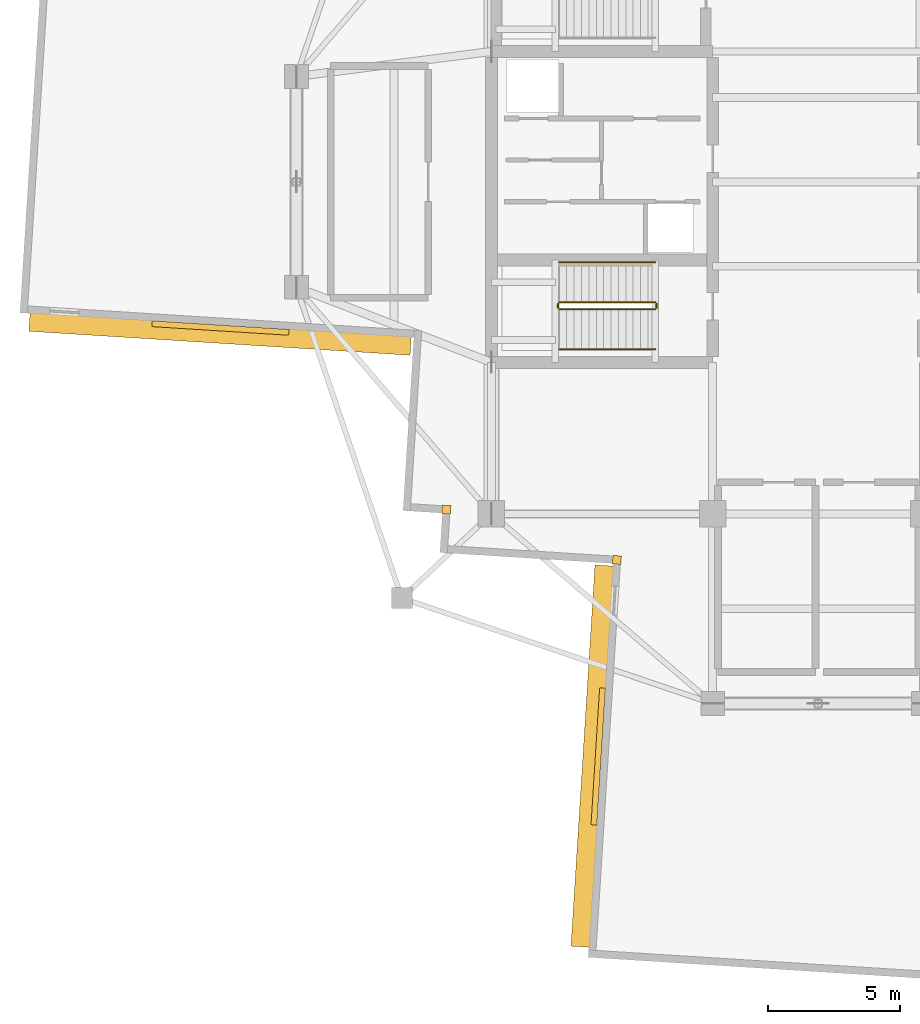
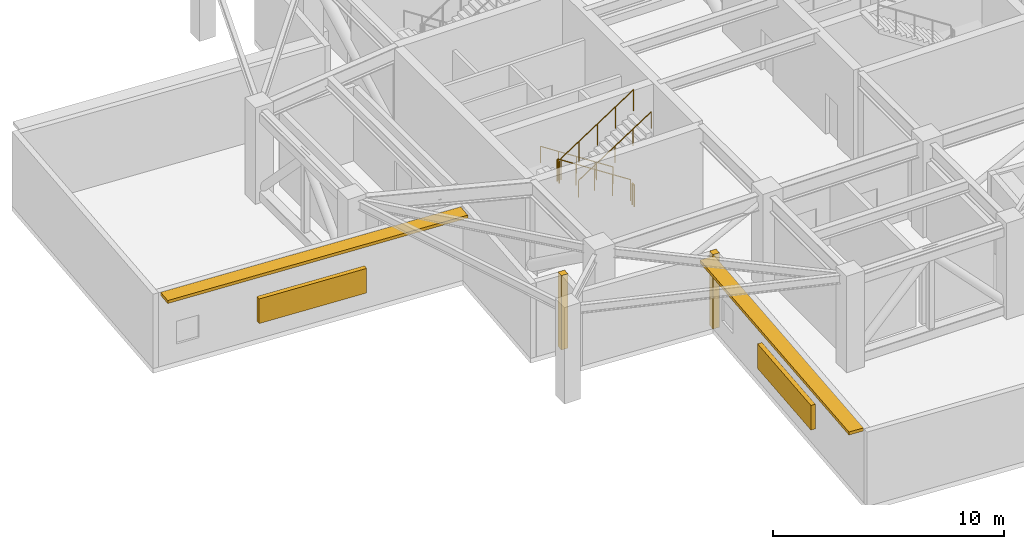
# One storey, part 11 of 14: 6 railings, 4 shading devices, 2 coverings.
"""IFC4 building model written with IfcOpenShell, lengths in metres."""

from ifc_helpers import new_model, si_unit, direction, frame, origin, origin_2d, place, context, subcontext, project, spatial, rectangle, circle, extrude, material, layer, layer_set, type_object, element, save


model = new_model("IFC4")

# Units and contexts
model_context = context("Model", 3, precision=1e-05, world=origin(), true_north=direction((0.0, 1.0)))
body_context = subcontext(model_context, "Body", "Model", "MODEL_VIEW")
ifc_project = project(units=[si_unit("LENGTHUNIT", "METRE"), si_unit("AREAUNIT", "SQUARE_METRE"), si_unit("VOLUMEUNIT", "CUBIC_METRE"), si_unit("PLANEANGLEUNIT", "RADIAN"), si_unit("MASSUNIT", "GRAM", prefix="KILO")], contexts=[model_context])

# Site, building, storey
site_placement = place(None, origin())
site = spatial("IfcSite", under=ifc_project, at=site_placement, CompositionType="ELEMENT")
building_placement = place(site_placement, origin())
building = spatial("IfcBuilding", under=site, at=building_placement, Name="Qingluan Cross Belvedere", CompositionType="ELEMENT")
storey_placement = place(building_placement, frame((0.0, 0.0, 240.300048828125)))
storey = spatial("IfcBuildingStorey", under=building, at=storey_placement, Name="L60", CompositionType="ELEMENT", Elevation=240.300048828125)

# Coverings
ifc_material_1 = material(Name="Precast concrete C45", Category="concrete")
ifc_layer_1 = layer(ifc_material_1, 0.1201171875, Name="ConcreteSpandrelCladding_120")
ifc_layer_set_1 = layer_set([ifc_layer_1], Name="Precast concrete C45")
covering_type = type_object("IfcCoveringType", Name="ConcreteSpandrelCladding_120", PredefinedType="CLADDING", material=ifc_layer_set_1)
for number, where, z_axis, x_axis, name in (
    (1, (-14.10888671875, -12.438720703125, 0.0), (0.0, 0.0, 1.0), (0.998026728428, -0.062790519529, 0.0), "Corner closure L60-SW1"),
    (2, (-7.635986328125, -14.348876953125, 0.0), (0.0, 0.0, 1.0), (0.998026728428, -0.062790519529, 0.0), "Corner closure L60-SW2"),
):
    element("IfcCovering", number, at=place(storey_placement, frame(where, z_axis=z_axis, x_axis=x_axis)), inside=storey, type_object=covering_type, Name=name, PredefinedType="CLADDING", context=body_context, shape_type="SweptSolid", body=[
        extrude(rectangle(XDim=0.320068359375, YDim=0.320068359375, at=origin_2d()), origin(), (0.0, 0.0, 1.0), 3.929931640625),
    ])

# Shading devices
ifc_material_2 = material(Name="Precast concrete C45", Category="concrete")
ifc_layer_2 = layer(ifc_material_2, 0.139892578125, Name="ConcreteSunshadeBand_700")
ifc_layer_set_2 = layer_set([ifc_layer_2], Name="Precast concrete C45")
shading_device_type_1 = type_object("IfcShadingDeviceType", Name="ConcreteSunshadeBand_700", PredefinedType="USERDEFINED", material=ifc_layer_set_2)
for number, where, z_axis, x_axis, name in (
    (3, (-22.697509765625, -5.776123046875, 3.75), (0.0, 0.0, 1.0), (0.998026818306, -0.062789090939, 0.0), "Concrete SUNSHADE L60-WB"),
    (4, (-8.575439453125, -21.794677734375, 3.75), (0.0, 0.0, 1.0), (-0.062795866837, -0.99802639199, 0.0), "Concrete SUNSHADE L60-SA"),
):
    element("IfcShadingDevice", number, at=place(storey_placement, frame(where, z_axis=z_axis, x_axis=x_axis)), inside=storey, type_object=shading_device_type_1, Name=name, ObjectType="SUNSHADE", PredefinedType="USERDEFINED", context=body_context, shape_type="SweptSolid", body=[
        extrude(rectangle(XDim=14.5, YDim=0.699951171875, at=origin_2d()), origin(), (0.0, 0.0, 1.0), 0.159912109375),
    ])
ifc_material_3 = material(Name="Anodised aluminium acoustic louvre screen", Category="aluminium")
ifc_layer_3 = layer(ifc_material_3, 0.219970703125, Name="RefugeAcousticLouvre_Screen")
ifc_layer_set_3 = layer_set([ifc_layer_3], Name="Anodised aluminium acoustic louvre screen")
shading_device_type_2 = type_object("IfcShadingDeviceType", Name="RefugeAcousticLouvre_Screen", PredefinedType="JALOUSIE", material=ifc_layer_set_3)
for number, where, z_axis, x_axis, name in (
    (5, (-22.68310546875, -5.546630859375, 0.94970703125), (0.0, 0.0, 1.0), (0.998026818306, -0.062789090939, 0.0), "Plant acoustic louvre SCREEN L60-WB"),
    (6, (-8.345947265625, -21.80908203125, 0.94970703125), (0.0, 0.0, 1.0), (-0.062795866837, -0.99802639199, 0.0), "Plant acoustic louvre SCREEN L60-SA"),
):
    element("IfcShadingDevice", number, at=place(storey_placement, frame(where, z_axis=z_axis, x_axis=x_axis)), inside=storey, type_object=shading_device_type_2, Name=name, PredefinedType="JALOUSIE", context=body_context, shape_type="SweptSolid", body=[
        extrude(rectangle(XDim=5.199951171875, YDim=0.219970703125, at=origin_2d()), origin(), (0.0, 0.0, 1.0), 1.300048828125),
    ])

# Railings
ifc_material_4 = material(Name="Brushed stainless steel tubular handrail", Category="steel")
railing_type_1 = type_object("IfcRailingType", Name="StairPitchHandrail_900", PredefinedType="HANDRAIL", material=ifc_material_4)
railing_1_placement = place(storey_placement, frame((-6.179931640625, -3.050048828125, 0.18212890625)))
element("IfcRailing", 7, at=railing_1_placement, inside=storey, type_object=railing_type_1, Name="L60 ST1 stair handrail 1", PredefinedType="HANDRAIL", context=body_context, shape_type="SweptSolid", body=[
    extrude(circle(Radius=0.02392578125, at=origin_2d()), frame((0.0, 0.0, 0.8759765625), z_axis=(-0.83825089185, 0.0, 0.545284735081), x_axis=(0.0, -1.0, 0.0)), (0.0, 0.0, 1.0), 4.342529296875),
    extrude(circle(Radius=0.02099609375, at=origin_2d()), origin(), (0.0, 0.0, 1.0), 0.851806640625),
    extrude(circle(Radius=0.02099609375, at=origin_2d()), frame((-0.91015625, 0.0, 0.592041015625)), (0.0, 0.0, 1.0), 0.851806640625),
    extrude(circle(Radius=0.02099609375, at=origin_2d()), frame((-1.820068359375, 0.0, 1.18408203125)), (0.0, 0.0, 1.0), 0.851806640625),
    extrude(circle(Radius=0.02099609375, at=origin_2d()), frame((-2.72998046875, 0.0, 1.77587890625)), (0.0, 0.0, 1.0), 0.851806640625),
    extrude(circle(Radius=0.02099609375, at=origin_2d()), frame((-3.64013671875, 0.0, 2.367919921875)), (0.0, 0.0, 1.0), 0.851806640625),
])
railing_2_placement = place(storey_placement, frame((-9.820068359375, -6.35009765625, 2.732177734375)))
element("IfcRailing", 8, at=railing_2_placement, inside=storey, type_object=railing_type_1, Name="L60 ST1 stair handrail 2", PredefinedType="HANDRAIL", context=body_context, shape_type="SweptSolid", body=[
    extrude(circle(Radius=0.02392578125, at=origin_2d()), frame((0.0, 0.0, 0.8759765625), z_axis=(0.838276589377, 0.0, 0.545245228959), x_axis=(0.0, 1.0, 0.0)), (0.0, 0.0, 1.0), 4.34228515625),
    extrude(circle(Radius=0.02099609375, at=origin_2d()), origin(), (0.0, 0.0, 1.0), 0.851806640625),
    extrude(circle(Radius=0.02099609375, at=origin_2d()), frame((0.91015625, 0.0, 0.591796875)), (0.0, 0.0, 1.0), 0.851806640625),
    extrude(circle(Radius=0.02099609375, at=origin_2d()), frame((1.820068359375, 0.0, 1.183837890625)), (0.0, 0.0, 1.0), 0.851806640625),
    extrude(circle(Radius=0.02099609375, at=origin_2d()), frame((2.72998046875, 0.0, 1.77587890625)), (0.0, 0.0, 1.0), 0.851806640625),
    extrude(circle(Radius=0.02099609375, at=origin_2d()), frame((3.64013671875, 0.0, 2.36767578125)), (0.0, 0.0, 1.0), 0.851806640625),
])
ifc_material_5 = material(Name="Painted steel stair well guard", Category="steel")
railing_type_2 = type_object("IfcRailingType", Name="StairWellGuard_1150", PredefinedType="BALUSTRADE", material=ifc_material_5)
railing_3_placement = place(storey_placement, frame((-6.179931640625, -4.570068359375, 0.18212890625)))
element("IfcRailing", 9, at=railing_3_placement, inside=storey, type_object=railing_type_2, Name="L60 ST1 stair guard 1", PredefinedType="BALUSTRADE", context=body_context, shape_type="SweptSolid", body=[
    extrude(circle(Radius=0.02392578125, at=origin_2d()), frame((0.0, 0.0, 1.1259765625), z_axis=(-0.83825089185, 0.0, 0.545284735081), x_axis=(0.0, -1.0, 0.0)), (0.0, 0.0, 1.0), 4.342529296875),
    extrude(circle(Radius=0.02099609375, at=origin_2d()), origin(), (0.0, 0.0, 1.0), 1.101806640625),
    extrude(circle(Radius=0.02099609375, at=origin_2d()), frame((-0.91015625, 0.0, 0.592041015625)), (0.0, 0.0, 1.0), 1.101806640625),
    extrude(circle(Radius=0.02099609375, at=origin_2d()), frame((-1.820068359375, 0.0, 1.18408203125)), (0.0, 0.0, 1.0), 1.101806640625),
    extrude(circle(Radius=0.02099609375, at=origin_2d()), frame((-2.72998046875, 0.0, 1.77587890625)), (0.0, 0.0, 1.0), 1.101806640625),
    extrude(circle(Radius=0.02099609375, at=origin_2d()), frame((-3.64013671875, 0.0, 2.367919921875)), (0.0, 0.0, 1.0), 1.101806640625),
])
railing_4_placement = place(storey_placement, frame((-9.8701171875, -4.6201171875, 2.550048828125)))
element("IfcRailing", 10, at=railing_4_placement, inside=storey, type_object=railing_type_2, Name="L60 ST1 stair guard 2", PredefinedType="BALUSTRADE", context=body_context, shape_type="SweptSolid", body=[
    extrude(circle(Radius=0.02392578125, at=origin_2d()), frame((0.0, 0.0, 1.1259765625), z_axis=(0.0, -1.0, 0.0), x_axis=(1.0, 0.0, 0.0)), (0.0, 0.0, 1.0), 0.159912109375),
    extrude(circle(Radius=0.02099609375, at=origin_2d()), origin(), (0.0, 0.0, 1.0), 1.101806640625),
    extrude(circle(Radius=0.02099609375, at=origin_2d()), frame((0.0, -0.159912109375, 0.0)), (0.0, 0.0, 1.0), 1.101806640625),
])
railing_5_placement = place(storey_placement, frame((-9.820068359375, -4.830078125, 2.732177734375)))
element("IfcRailing", 11, at=railing_5_placement, inside=storey, type_object=railing_type_2, Name="L60 ST1 stair guard 3", PredefinedType="BALUSTRADE", context=body_context, shape_type="SweptSolid", body=[
    extrude(circle(Radius=0.02392578125, at=origin_2d()), frame((0.0, 0.0, 1.1259765625), z_axis=(0.838276589377, 0.0, 0.545245228959), x_axis=(0.0, 1.0, 0.0)), (0.0, 0.0, 1.0), 4.34228515625),
    extrude(circle(Radius=0.02099609375, at=origin_2d()), origin(), (0.0, 0.0, 1.0), 1.101806640625),
    extrude(circle(Radius=0.02099609375, at=origin_2d()), frame((0.91015625, 0.0, 0.591796875)), (0.0, 0.0, 1.0), 1.101806640625),
    extrude(circle(Radius=0.02099609375, at=origin_2d()), frame((1.820068359375, 0.0, 1.183837890625)), (0.0, 0.0, 1.0), 1.101806640625),
    extrude(circle(Radius=0.02099609375, at=origin_2d()), frame((2.72998046875, 0.0, 1.77587890625)), (0.0, 0.0, 1.0), 1.101806640625),
    extrude(circle(Radius=0.02099609375, at=origin_2d()), frame((3.64013671875, 0.0, 2.36767578125)), (0.0, 0.0, 1.0), 1.101806640625),
])
railing_6_placement = place(storey_placement, frame((-6.1298828125, -4.6201171875, 0.0)))
element("IfcRailing", 12, at=railing_6_placement, inside=storey, type_object=railing_type_2, Name="L60 ST1 stair guard 4", PredefinedType="BALUSTRADE", context=body_context, shape_type="SweptSolid", body=[
    extrude(circle(Radius=0.02392578125, at=origin_2d()), frame((0.0, 0.0, 1.1259765625), z_axis=(0.0, -1.0, 0.0), x_axis=(1.0, 0.0, 0.0)), (0.0, 0.0, 1.0), 0.159912109375),
    extrude(circle(Radius=0.02099609375, at=origin_2d()), origin(), (0.0, 0.0, 1.0), 1.101806640625),
    extrude(circle(Radius=0.02099609375, at=origin_2d()), frame((0.0, -0.159912109375, 0.0)), (0.0, 0.0, 1.0), 1.101806640625),
])

save(model, "model.ifc")
